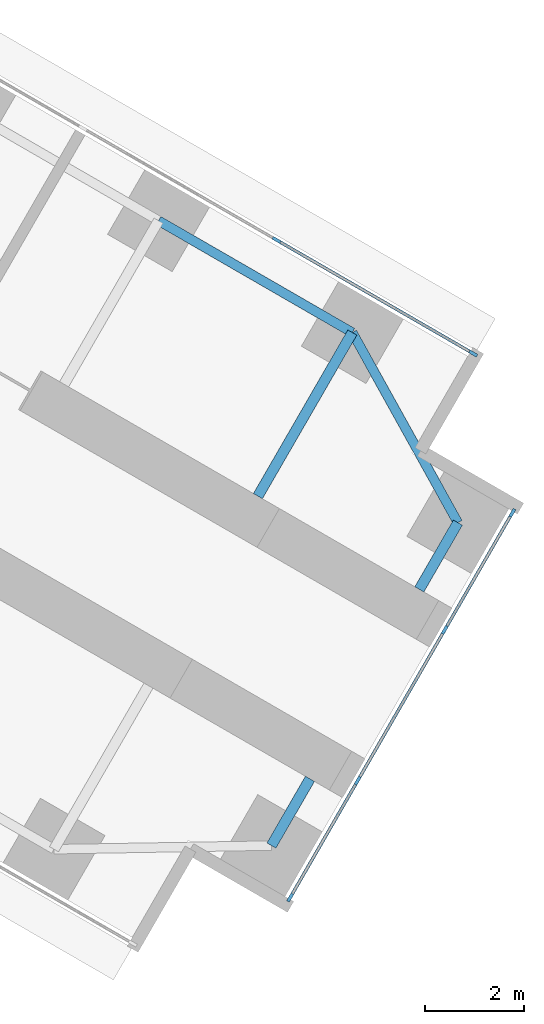
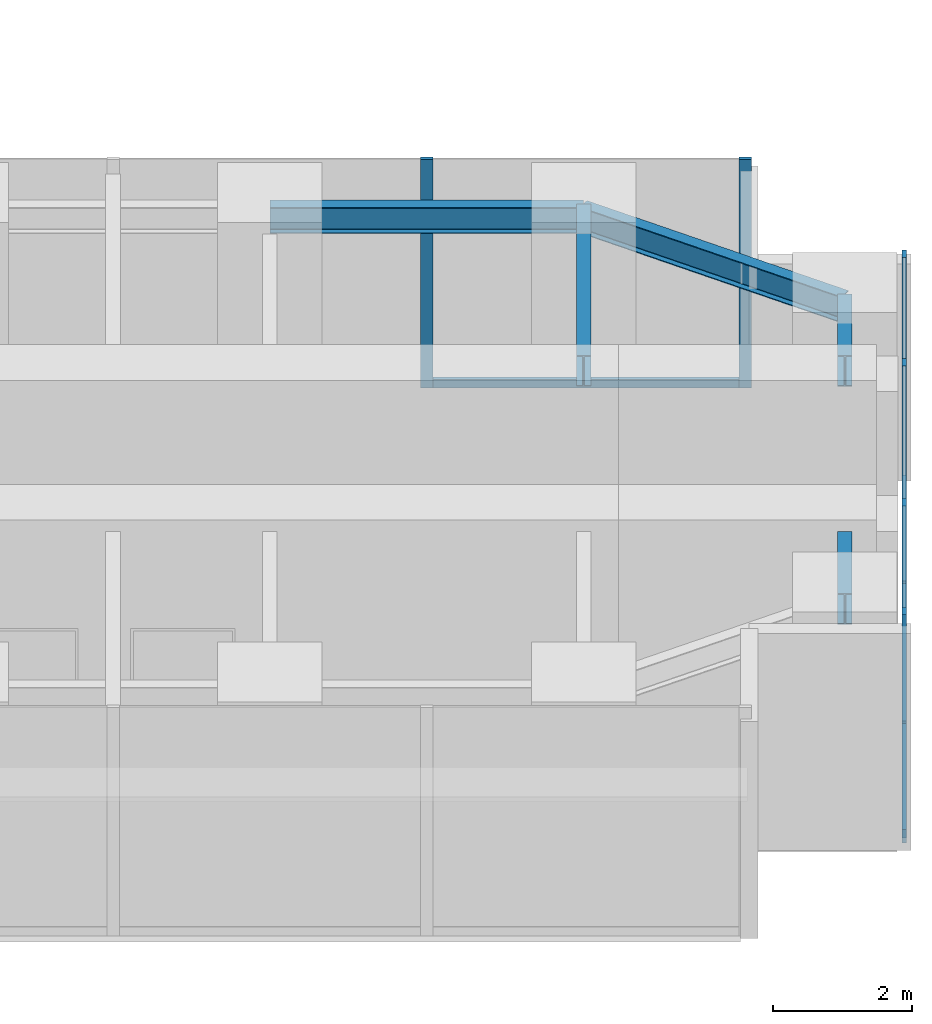
# One storey, part 12 of 22: 10 members, 5 beams, 2 elements without a shape of their own.
"""IFC4 building model written with IfcOpenShell, lengths in metres."""

import ifcopenshell
import ifcopenshell.guid

model = None  # the IFC model being written
_history = None  # IfcOwnerHistory: only IFC2X3 demands one
_inside = {}  # id of a spatial element -> (the spatial element, [elements in it])
_under = {}  # id of a project, library or spatial element -> (it, [spatial elements below it])
_declared = {}  # id of a project -> (the project, [libraries it declares])
_typed = {}  # id of a type object -> (the type object, [elements of that type])
_made_of = {}  # id of a material, layer set ... -> (it, [elements and type objects made of it])


def new_model(schema):
    """Start an empty IFC model of exactly this schema.

    Asked for "IFC4X3", IfcOpenShell would pick the latest addendum, in which some entities
    have other attributes; the version numbers below select the first issue.
    IFC2X3 requires an IfcOwnerHistory on every rooted entity: one is made here for all.
    """
    global model, _history
    if schema == "IFC4X3":
        model = ifcopenshell.file(schema_version=(4, 3, 0, 0))
    else:
        model = ifcopenshell.file(schema=schema)
    _inside.clear()
    _under.clear()
    _declared.clear()
    _typed.clear()
    _made_of.clear()
    _history = None
    if model.schema == "IFC2X3":
        org = make("IfcOrganization", Name="unknown")
        user = make(
            "IfcPersonAndOrganization",
            ThePerson=make("IfcPerson", FamilyName="unknown"),
            TheOrganization=org,
        )
        app = make(
            "IfcApplication",
            ApplicationDeveloper=org,
            Version="unknown",
            ApplicationFullName="unknown",
            ApplicationIdentifier="unknown",
        )
        _history = make(
            "IfcOwnerHistory",
            OwningUser=user,
            OwningApplication=app,
            ChangeAction="ADDED",
            CreationDate=0,
        )
    return model


def make(cls, **values):
    """One entity of the class cls with the attributes given. An attribute that is None is left unset."""
    return model.create_entity(
        cls, **{name: value for name, value in values.items() if value is not None}
    )


def rooted(cls, **values):
    """An entity with a GlobalId (a new one), such as an element, a storey or a relation."""
    return make(cls, GlobalId=ifcopenshell.guid.new(), OwnerHistory=_history, **values)


def si_unit(unit_type, name, prefix=None):
    """IfcSIUnit, for example si_unit("LENGTHUNIT", "METRE", prefix="MILLI")."""
    return make("IfcSIUnit", UnitType=unit_type, Prefix=prefix, Name=name)


def assignment(units):
    """IfcUnitAssignment: the units of a project."""
    return None if units is None else make("IfcUnitAssignment", Units=units)


def point(xyz):
    """IfcCartesianPoint."""
    return None if xyz is None else make("IfcCartesianPoint", Coordinates=xyz)


def direction(xyz):
    """IfcDirection."""
    return None if xyz is None else make("IfcDirection", DirectionRatios=xyz)


def frame(location, z_axis=None, x_axis=None):
    """IfcAxis2Placement3D, a coordinate frame: its origin and axes. An axis left out is left unset."""
    return make(
        "IfcAxis2Placement3D",
        Location=point(location),
        Axis=direction(z_axis),
        RefDirection=direction(x_axis),
    )


def frame_2d(location, x_axis=None):
    """IfcAxis2Placement2D, a coordinate frame in the plane: its origin and x axis."""
    return make(
        "IfcAxis2Placement2D", Location=point(location), RefDirection=direction(x_axis)
    )


def origin():
    """The frame at (0, 0, 0) with its axes left unset."""
    return frame((0.0, 0.0, 0.0))


def origin_2d():
    """The frame at (0, 0) in the plane with its x axis left unset."""
    return frame_2d((0.0, 0.0))


def place(relative_to, where):
    """IfcLocalPlacement: puts the frame where relative to a parent placement (None: the world)."""
    return make(
        "IfcLocalPlacement", PlacementRelTo=relative_to, RelativePlacement=where
    )


def context(
    kind, dimensions, precision=None, world=None, true_north=None, identifier=None
):
    """IfcGeometricRepresentationContext, for example the 3D "Model" context."""
    return make(
        "IfcGeometricRepresentationContext",
        ContextIdentifier=identifier,
        ContextType=kind,
        CoordinateSpaceDimension=dimensions,
        Precision=precision,
        WorldCoordinateSystem=world,
        TrueNorth=true_north,
    )


def subcontext(parent, identifier, kind, view, scale=None):
    """IfcGeometricRepresentationSubContext, for example "Body" below "Model"."""
    return make(
        "IfcGeometricRepresentationSubContext",
        ContextIdentifier=identifier,
        ContextType=kind,
        ParentContext=parent,
        TargetScale=scale,
        TargetView=view,
    )


def project(units=None, contexts=None):
    """IfcProject with its units and contexts."""
    return rooted(
        "IfcProject",
        Name="project",
        RepresentationContexts=contexts,
        UnitsInContext=assignment(units),
    )


def spatial(cls, under=None, at=None, **own):
    """A site, building, storey or space (cls), placed at a placement, below another one or the project."""
    s = rooted(cls, ObjectPlacement=at, **own)
    if under is not None:
        _under.setdefault(under.id(), (under, []))[1].append(s)
    return s


def profile(cls, at=None, kind="AREA", **sizes):
    """A parametric profile (cls). Its sizes go by their IFC names, for example OverallWidth=200.0."""
    return make(cls, ProfileType=kind, Position=at, **sizes)


def rectangle(**sizes):
    """IfcRectangleProfileDef."""
    return profile("IfcRectangleProfileDef", **sizes)


def i_section(**sizes):
    """IfcIShapeProfileDef."""
    return profile("IfcIShapeProfileDef", **sizes)


def extrude(swept, where, along, depth):
    """IfcExtrudedAreaSolid: the profile swept, set in the frame where, extruded along a direction by depth."""
    return make(
        "IfcExtrudedAreaSolid",
        SweptArea=swept,
        Position=where,
        ExtrudedDirection=direction(along),
        Depth=depth,
    )


def shape(context_of_items, identifier, shape_type, items):
    """IfcShapeRepresentation: the items that make up one representation, for example the "Body"."""
    return make(
        "IfcShapeRepresentation",
        ContextOfItems=context_of_items,
        RepresentationIdentifier=identifier,
        RepresentationType=shape_type,
        Items=items,
    )


def material(Name=None, Category=None):
    """IfcMaterial."""
    return make("IfcMaterial", Name=Name, Category=Category)


def material_profile(
    of_material, cross_section, Name=None, Category=None, Priority=None
):
    """IfcMaterialProfile: a cross section and its material."""
    return make(
        "IfcMaterialProfile",
        Name=Name,
        Material=of_material,
        Profile=cross_section,
        Priority=Priority,
        Category=Category,
    )


def profile_set(profiles, Name=None, composite=None):
    """IfcMaterialProfileSet."""
    return make(
        "IfcMaterialProfileSet",
        Name=Name,
        MaterialProfiles=profiles,
        CompositeProfile=composite,
    )


def made_of(thing, what):
    """Note that an element or type object is made of a material, layer set ...; save() writes the relation."""
    if what is not None:
        _made_of.setdefault(what.id(), (what, []))[1].append(thing)
    return thing


def type_object(cls, material=None, **own):
    """A type object (cls), such as IfcWallType, which elements share."""
    return made_of(rooted(cls, **own), material)


def element(
    cls,
    number,
    at=None,
    inside=None,
    cuts=None,
    type_object=None,
    material=None,
    context=None,
    identifier="Body",
    shape_type=None,
    held_by="IfcProductDefinitionShape",
    body=None,
    shapes=None,
    **own,
):
    """One element of the class cls, such as IfcWall. Its Tag is "e" and its number.

    at: its placement. inside: the storey or other place that contains it. cuts: it is an
    opening in that element (IfcRelVoidsElement). A single representation is given by context,
    identifier, shape_type and body (its items); several are given by shapes. held_by: the class
    of the entity that holds the representations. save() writes the other relations.
    """
    e = rooted(cls, Tag="e%d" % number, ObjectPlacement=at, **own)
    if body is not None:
        shapes = [shape(context, identifier, shape_type, body)]
    if shapes is not None:
        e.Representation = make(held_by, Representations=shapes)
    if inside is not None:
        _inside.setdefault(inside.id(), (inside, []))[1].append(e)
    if cuts is not None:
        rooted(
            "IfcRelVoidsElement", RelatingBuildingElement=cuts, RelatedOpeningElement=e
        )
    if type_object is not None:
        _typed.setdefault(type_object.id(), (type_object, []))[1].append(e)
    return made_of(e, material)


def aggregate(whole, parts):
    """IfcRelAggregates: a whole, such as a stair, and the parts it consists of."""
    return rooted("IfcRelAggregates", RelatingObject=whole, RelatedObjects=parts)


def save(model, path):
    """Write the relations noted so far, then the file.

    IfcRelAggregates (storeys below a building ...), IfcRelContainedInSpatialStructure (elements
    in a storey), IfcRelDefinesByType, IfcRelAssociatesMaterial and IfcRelDeclares: one each for
    every whole, place, type object, material and project.
    """
    for whole, parts in _under.values():
        aggregate(whole, parts)
    for where, things in _inside.values():
        rooted(
            "IfcRelContainedInSpatialStructure",
            RelatedElements=things,
            RelatingStructure=where,
        )
    for kind, things in _typed.values():
        rooted("IfcRelDefinesByType", RelatedObjects=things, RelatingType=kind)
    for what, things in _made_of.values():
        rooted("IfcRelAssociatesMaterial", RelatedObjects=things, RelatingMaterial=what)
    for by, libraries in _declared.values():
        rooted("IfcRelDeclares", RelatingContext=by, RelatedDefinitions=libraries)
    model.write(path)


model = new_model("IFC4")

# Units and contexts
model_context = context("Model", 3, precision=1e-05, world=origin(), true_north=direction((0.0, 1.0)))
body_context = subcontext(model_context, "Body", "Model", "MODEL_VIEW")
ifc_project = project(units=[si_unit("LENGTHUNIT", "METRE"), si_unit("AREAUNIT", "SQUARE_METRE"), si_unit("VOLUMEUNIT", "CUBIC_METRE"), si_unit("PLANEANGLEUNIT", "RADIAN"), si_unit("MASSUNIT", "GRAM", prefix="KILO")], contexts=[model_context])

# Site, building, storey
site_placement = place(None, origin())
site = spatial("IfcSite", under=ifc_project, at=site_placement, CompositionType="ELEMENT")
building_placement = place(site_placement, origin())
building = spatial("IfcBuilding", under=site, at=building_placement, Name="Upepo Twin Towers", CompositionType="ELEMENT")
storey_placement = place(building_placement, frame((0.0, 0.0, 36.5)))
storey = spatial("IfcBuildingStorey", under=building, at=storey_placement, Name="L08", CompositionType="ELEMENT", Elevation=36.5)

# Beams
ifc_material_1 = material(Name="Steel S355", Category="steel")
ifc_material_profile_1 = material_profile(ifc_material_1, i_section(OverallWidth=0.1904296875, OverallDepth=0.45703125, WebThickness=0.009033203125, FlangeThickness=0.014404296875, FilletRadius=0.01025390625, at=origin_2d()), Name="UB 457x191x74")
ifc_profile_set_1 = profile_set([ifc_material_profile_1], Name="Steel S355")
beam_type_1 = type_object("IfcBeamType", Name="Beam UB 457x191x74", PredefinedType="BEAM", material=ifc_profile_set_1)
beam_1_placement = place(storey_placement, frame((77.08837890625, -21.803955078125, 3.571533203125), z_axis=(0.866031096941, -0.499990139034, 0.0), x_axis=(0.499990139034, 0.866031096941, 0.0)))
element("IfcBeam", 1, at=beam_1_placement, inside=storey, type_object=beam_type_1, Name="T2 edge beam CL 18.0-22.5", PredefinedType="BEAM", context=body_context, shape_type="SweptSolid", body=[
    extrude(i_section(OverallWidth=0.1904296875, OverallDepth=0.45703125, WebThickness=0.009033203125, FlangeThickness=0.014404296875, FilletRadius=0.01025390625, at=origin_2d()), origin(), (0.0, 0.0, 1.0), 4.5),
])
beam_2_placement = place(storey_placement, frame((80.985595703125, -24.053955078125, 3.571533203125), z_axis=(0.485363242752, -0.874312600038, 0.0), x_axis=(0.874312600038, 0.485363242752, 0.0)))
element("IfcBeam", 2, at=beam_2_placement, inside=storey, type_object=beam_type_1, Name="T2 nose edge beam CL", PredefinedType="BEAM", context=body_context, shape_type="SweptSolid", body=[
    extrude(i_section(OverallWidth=0.1904296875, OverallDepth=0.45703125, WebThickness=0.009033203125, FlangeThickness=0.014404296875, FilletRadius=0.01025390625, at=origin_2d()), origin(), (0.0, 0.0, 1.0), 4.373046875),
])
ifc_material_2 = material(Name="Steel S355", Category="steel")
ifc_material_profile_2 = material_profile(ifc_material_2, i_section(OverallWidth=0.2099609375, OverallDepth=0.53662109375, WebThickness=0.0107421875, FlangeThickness=0.017333984375, FilletRadius=0.0126953125, at=origin_2d()), Name="UB 533x210x101")
ifc_profile_set_2 = profile_set([ifc_material_profile_2], Name="Steel S355")
beam_type_2 = type_object("IfcBeamType", Name="Beam UB 533x210x101", PredefinedType="BEAM", material=ifc_profile_set_2)
for number, where, z_axis, x_axis, name in (
    (3, (83.108154296875, -27.87744140625, 3.53173828125), (-0.499967891604, -0.866043940782, 0.0), (0.866043940782, -0.499967891604, 0.0), "T2 nose beam CL"),
    (4, (79.358154296875, -34.37255859375, 3.53173828125), (0.499967891604, 0.866043940782, 0.0), (-0.866043940782, 0.499967891604, 0.0), "T2 nose beam CR"),
):
    element("IfcBeam", number, at=place(storey_placement, frame(where, z_axis=z_axis, x_axis=x_axis)), inside=storey, type_object=beam_type_2, Name=name, PredefinedType="BEAM", context=body_context, shape_type="SweptSolid", body=[
        extrude(i_section(OverallWidth=0.2099609375, OverallDepth=0.53662109375, WebThickness=0.0107421875, FlangeThickness=0.017333984375, FilletRadius=0.0126953125, at=origin_2d()), origin(), (0.0, 0.0, 1.0), 1.5498046875),
    ])
ifc_material_3 = material(Name="Steel S355", Category="steel")
ifc_material_profile_3 = material_profile(ifc_material_3, i_section(OverallWidth=0.209228515625, OverallDepth=0.533203125, WebThickness=0.010009765625, FlangeThickness=0.015625, FilletRadius=0.0126953125, at=origin_2d()), Name="UB 533x210x92")
ifc_profile_set_3 = profile_set([ifc_material_profile_3], Name="Steel S355")
beam_type_3 = type_object("IfcBeamType", Name="Beam UB 533x210x92", PredefinedType="BEAM", material=ifc_profile_set_3)
beam_3_placement = place(storey_placement, frame((80.985595703125, -24.053955078125, 3.533447265625), z_axis=(-0.499994975061, -0.866028304915, 0.0), x_axis=(0.866028304915, -0.499994975061, 0.0)))
element("IfcBeam", 5, at=beam_3_placement, inside=storey, type_object=beam_type_3, Name="T2 girder CL at 22.5", PredefinedType="BEAM", context=body_context, shape_type="SweptSolid", body=[
    extrude(i_section(OverallWidth=0.209228515625, OverallDepth=0.533203125, WebThickness=0.010009765625, FlangeThickness=0.015625, FilletRadius=0.0126953125, at=origin_2d()), origin(), (0.0, 0.0, 1.0), 3.7998046875),
])

# Curtain wall, members
ifc_material_4 = material(Name="Aluminium and fritted glass", Category="aluminium")
curtain_wall_type = type_object("IfcCurtainWallType", Name="Tower curtain wall TW1, fritted glass", PredefinedType="NOTDEFINED", material=ifc_material_4)
curtain_wall_1_placement = place(storey_placement, origin())
curtain_wall_1 = element("IfcCurtainWall", 6, at=curtain_wall_1_placement, inside=storey, type_object=curtain_wall_type, Name="T2 L08 wing C flank L curtain wall", PredefinedType="NOTDEFINED")
ifc_material_5 = material(Name="Aluminium mullion", Category="aluminium")
ifc_material_profile_4 = material_profile(ifc_material_5, rectangle(XDim=0.06494140625, YDim=0.179931640625, at=origin_2d()), Name="MULLION 65x180")
ifc_profile_set_4 = profile_set([ifc_material_profile_4], Name="Aluminium mullion")
member_type_1 = type_object("IfcMemberType", Name="Mullion 65x180 TW1", PredefinedType="MULLION", material=ifc_profile_set_4)
member_1_placement = place(storey_placement, frame((79.4619140625, -22.192626953125, 0.0), z_axis=(0.0, 0.0, 1.0), x_axis=(0.500000024426, 0.866025389682, 0.0)))
member_1 = element("IfcMember", 7, at=member_1_placement, type_object=member_type_1, Name="T2 L08 wing C flank L curtain wall mullion 3", PredefinedType="MULLION", context=body_context, shape_type="SweptSolid", body=[
    extrude(rectangle(XDim=0.06494140625, YDim=0.179931640625, at=origin_2d()), origin(), (0.0, 0.0, 1.0), 4.0),
])
member_2_placement = place(storey_placement, frame((83.41748046875, -24.4765625, 0.0), z_axis=(0.0, 0.0, 1.0), x_axis=(0.500000024426, 0.866025389682, 0.0)))
member_2 = element("IfcMember", 8, at=member_2_placement, type_object=member_type_1, Name="T2 L08 wing C flank L curtain wall mullion 4", PredefinedType="MULLION", context=body_context, shape_type="SweptSolid", body=[
    extrude(rectangle(XDim=0.06494140625, YDim=0.179931640625, at=origin_2d()), origin(), (0.0, 0.0, 1.0), 4.0),
])

curtain_wall_2_placement = place(storey_placement, origin())
curtain_wall_2 = element("IfcCurtainWall", 9, at=curtain_wall_2_placement, inside=storey, type_object=curtain_wall_type, Name="T2 L08 wing C nose curtain wall", PredefinedType="NOTDEFINED")
member_3_placement = place(storey_placement, frame((79.735595703125, -35.4189453125, 0.0), z_axis=(0.0, 0.0, 1.0), x_axis=(-0.866025386174, 0.500000030502, 0.0)))
member_3 = element("IfcMember", 10, at=member_3_placement, type_object=member_type_1, Name="T2 L08 wing C nose curtain wall mullion 1", PredefinedType="MULLION", context=body_context, shape_type="SweptSolid", body=[
    extrude(rectangle(XDim=0.06494140625, YDim=0.179931640625, at=origin_2d()), origin(), (0.0, 0.0, 1.0), 4.0),
])
member_4_placement = place(storey_placement, frame((81.09423828125, -33.0654296875, 0.0), z_axis=(0.0, 0.0, 1.0), x_axis=(-0.866025386174, 0.500000030502, 0.0)))
member_4 = element("IfcMember", 11, at=member_4_placement, type_object=member_type_1, Name="T2 L08 wing C nose curtain wall mullion 2", PredefinedType="MULLION", context=body_context, shape_type="SweptSolid", body=[
    extrude(rectangle(XDim=0.06494140625, YDim=0.179931640625, at=origin_2d()), origin(), (0.0, 0.0, 1.0), 4.0),
])
member_5_placement = place(storey_placement, frame((82.84423828125, -30.034423828125, 0.0), z_axis=(0.0, 0.0, 1.0), x_axis=(-0.866025386174, 0.500000030502, 0.0)))
member_5 = element("IfcMember", 12, at=member_5_placement, type_object=member_type_1, Name="T2 L08 wing C nose curtain wall mullion 3", PredefinedType="MULLION", context=body_context, shape_type="SweptSolid", body=[
    extrude(rectangle(XDim=0.06494140625, YDim=0.179931640625, at=origin_2d()), origin(), (0.0, 0.0, 1.0), 4.0),
])
member_6_placement = place(storey_placement, frame((84.203125, -27.68115234375, 0.0), z_axis=(0.0, 0.0, 1.0), x_axis=(-0.866025386174, 0.500000030502, 0.0)))
member_6 = element("IfcMember", 13, at=member_6_placement, type_object=member_type_1, Name="T2 L08 wing C nose curtain wall mullion 4", PredefinedType="MULLION", context=body_context, shape_type="SweptSolid", body=[
    extrude(rectangle(XDim=0.06494140625, YDim=0.179931640625, at=origin_2d()), origin(), (0.0, 0.0, 1.0), 4.0),
])

# Member
ifc_material_6 = material(Name="Aluminium transom", Category="aluminium")
ifc_material_profile_5 = material_profile(ifc_material_6, rectangle(XDim=0.06494140625, YDim=0.14990234375, at=origin_2d()), Name="TRANSOM 65x150")
ifc_profile_set_5 = profile_set([ifc_material_profile_5], Name="Aluminium transom")
member_type_2 = type_object("IfcMemberType", Name="Transom 65x150 TW1", PredefinedType="USERDEFINED", material=ifc_profile_set_5)
member_7_placement = place(storey_placement, frame((79.490234375, -22.208984375, 0.074951171875), z_axis=(0.866022143554, -0.500005646842, 0.0), x_axis=(0.500005646842, 0.866022143554, 0.0)))
member_7 = element("IfcMember", 14, at=member_7_placement, type_object=member_type_2, Name="T2 L08 wing C flank L curtain wall transom 3", ObjectType="TRANSOM", PredefinedType="USERDEFINED", context=body_context, shape_type="SweptSolid", body=[
    extrude(rectangle(XDim=0.06494140625, YDim=0.14990234375, at=origin_2d()), origin(), (0.0, 0.0, 1.0), 4.50244140625),
])

aggregate(curtain_wall_1, [member_1, member_2, member_7])

member_8_placement = place(storey_placement, frame((79.751708984375, -35.390869140625, 0.074951171875), z_axis=(0.500049101008, 0.865997053448, 0.0), x_axis=(-0.865997053448, 0.500049101008, 0.0)))
member_8 = element("IfcMember", 15, at=member_8_placement, type_object=member_type_2, Name="T2 L08 wing C nose curtain wall transom 1", ObjectType="TRANSOM", PredefinedType="USERDEFINED", context=body_context, shape_type="SweptSolid", body=[
    extrude(rectangle(XDim=0.06494140625, YDim=0.14990234375, at=origin_2d()), origin(), (0.0, 0.0, 1.0), 2.652587890625),
])

member_9_placement = place(storey_placement, frame((81.110595703125, -33.037353515625, 0.074951171875), z_axis=(0.499999305434, 0.866025804792, 0.0), x_axis=(-0.866025804792, 0.499999305434, 0.0)))
member_9 = element("IfcMember", 16, at=member_9_placement, type_object=member_type_2, Name="T2 L08 wing C nose curtain wall transom 2", ObjectType="TRANSOM", PredefinedType="USERDEFINED", context=body_context, shape_type="SweptSolid", body=[
    extrude(rectangle(XDim=0.06494140625, YDim=0.14990234375, at=origin_2d()), origin(), (0.0, 0.0, 1.0), 3.43505859375),
])

member_10_placement = place(storey_placement, frame((82.860595703125, -30.00634765625, 0.074951171875), z_axis=(0.499980071345, 0.866036909293, 0.0), x_axis=(-0.866036909293, 0.499980071345, 0.0)))
member_10 = element("IfcMember", 17, at=member_10_placement, type_object=member_type_2, Name="T2 L08 wing C nose curtain wall transom 3", ObjectType="TRANSOM", PredefinedType="USERDEFINED", context=body_context, shape_type="SweptSolid", body=[
    extrude(rectangle(XDim=0.06494140625, YDim=0.14990234375, at=origin_2d()), origin(), (0.0, 0.0, 1.0), 2.65234375),
])

aggregate(curtain_wall_2, [member_3, member_4, member_5, member_6, member_8, member_9, member_10])

save(model, "model.ifc")
